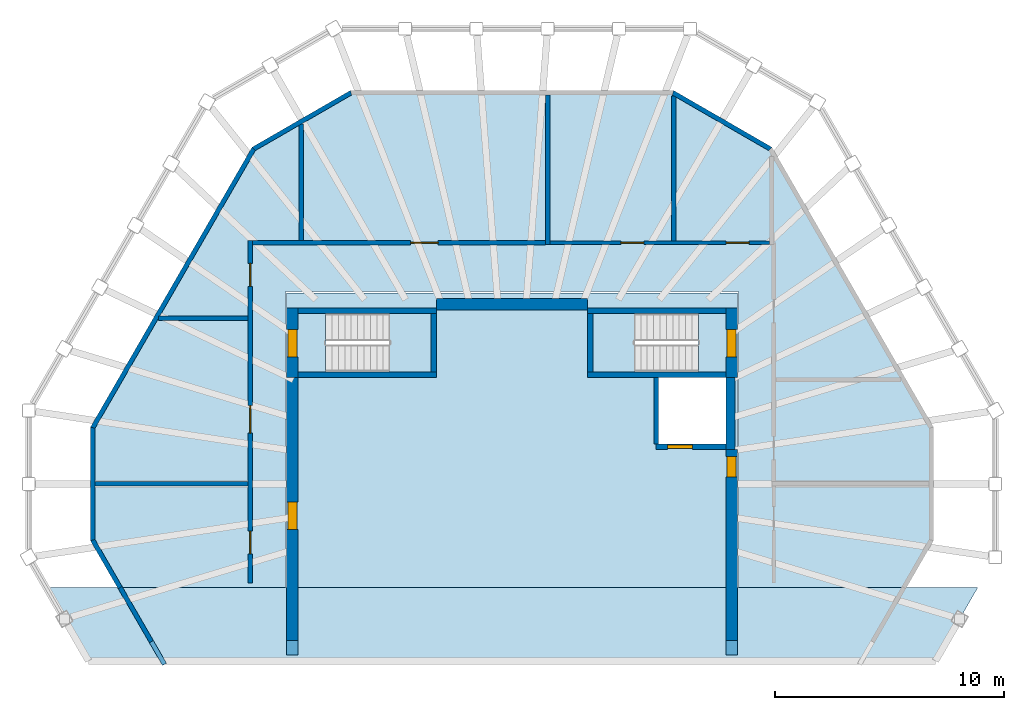
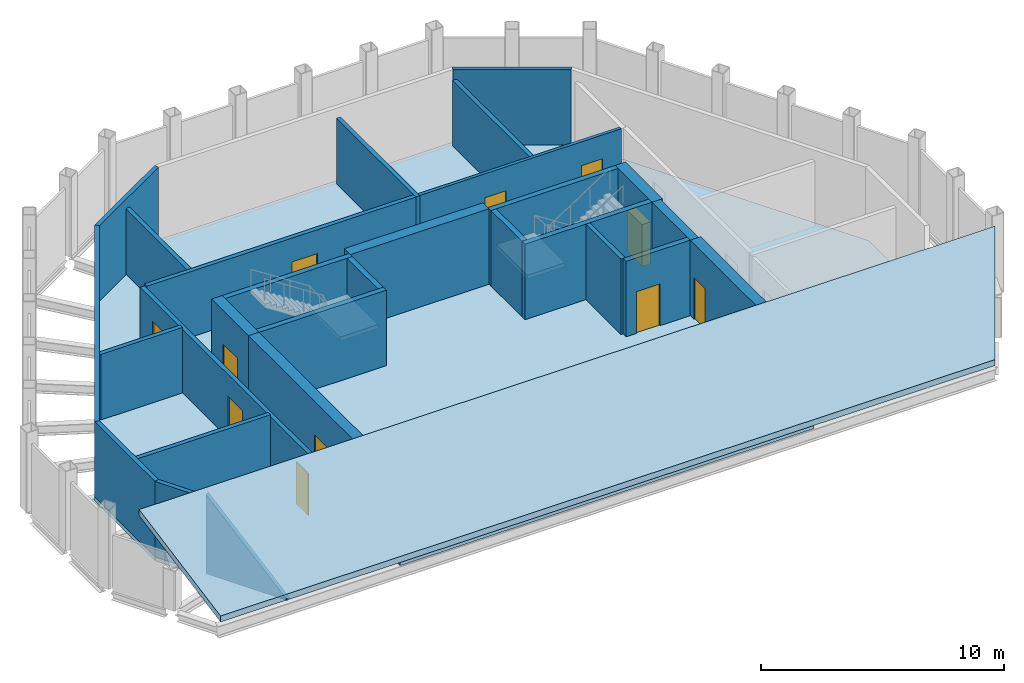
# One storey, part 2 of 4: 28 walls, 11 doors, 5 slabs, 11 openings, 2 elements without a shape of their own.
"""IFC4 building model written with IfcOpenShell, lengths in metres."""

from ifc_helpers import new_model, si_unit, direction, frame, frame_2d, origin, place, context, subcontext, project, spatial, polyline, rectangle, outline, extrude, material, layer, layer_set, type_object, element, fill, aggregate, save


model = new_model("IFC4")

# Units and contexts
model_context = context("Model", 3, precision=1e-05, world=origin(), true_north=direction((0.0, 1.0)))
body_context = subcontext(model_context, "Body", "Model", "MODEL_VIEW")
ifc_project = project(units=[si_unit("LENGTHUNIT", "METRE"), si_unit("AREAUNIT", "SQUARE_METRE"), si_unit("VOLUMEUNIT", "CUBIC_METRE"), si_unit("PLANEANGLEUNIT", "RADIAN"), si_unit("MASSUNIT", "GRAM", prefix="KILO")], contexts=[model_context])

# Site, building, storey
site_placement = place(None, origin())
site = spatial("IfcSite", under=ifc_project, at=site_placement, CompositionType="ELEMENT")
building_placement = place(site_placement, origin())
building = spatial("IfcBuilding", under=site, at=building_placement, Name="Frailejon Research Tower", CompositionType="ELEMENT")
storey_placement = place(building_placement, frame((0.0, 0.0, 360.60009765625)))
storey = spatial("IfcBuildingStorey", under=building, at=storey_placement, Name="L81", CompositionType="ELEMENT", Elevation=360.60009765625)

# Slabs
ifc_material_1 = material(Name="Concrete C50/60", Category="concrete")
ifc_layer_1 = layer(ifc_material_1, 0.199951171875)
ifc_layer_set_1 = layer_set([ifc_layer_1], Name="Core floor slab 200 C50/60")
slab_type_1 = type_object("IfcSlabType", Name="Core floor slab 200 C50/60", PredefinedType="FLOOR", material=ifc_layer_set_1)
slab_1_placement = place(storey_placement, frame((0.0, 0.0, -0.2001953125)))
element("IfcSlab", 1, at=slab_1_placement, inside=storey, type_object=slab_type_1, Name="Core floor slab", PredefinedType="FLOOR", context=body_context, shape_type="SweptSolid", body=[
    extrude(outline(polyline([(-9.85009765625, 8.35009765625), (9.85009765625, 8.35009765625), (9.85009765625, -7.836669921875), (-9.85009765625, -7.836669921875), (-9.85009765625, 8.35009765625)]), holes=[polyline([(9.35009765625, 1.75), (9.35009765625, 4.64990234375), (6.39990234375, 4.64990234375), (6.39990234375, 1.75), (9.35009765625, 1.75)]), polyline([(-8.14697265625, 4.89990234375), (-3.550048828125, 4.89990234375), (-3.550048828125, 7.449951171875), (-8.14697265625, 7.449951171875), (-8.14697265625, 4.89990234375)]), polyline([(8.14697265625, 7.449951171875), (3.550048828125, 7.449951171875), (3.550048828125, 4.89990234375), (8.14697265625, 4.89990234375), (8.14697265625, 7.449951171875)])]), origin(), (0.0, 0.0, 1.0), 0.2001953125),
])
ifc_material_2 = material(Name="Safety glass roof panel on steel frame", Category="steel")
ifc_layer_2 = layer(ifc_material_2, 0.300048828125)
ifc_layer_set_2 = layer_set([ifc_layer_2], Name="Crown glazed roof facet 300")
slab_type_2 = type_object("IfcSlabType", Name="Crown glazed roof facet 300", PredefinedType="ROOF", material=ifc_layer_set_2)
slab_2_placement = place(storey_placement, frame((-20.363037109375, -4.5302734375, 4.0), z_axis=(0.0, -0.766040031, 0.642792867809), x_axis=(1.0, 0.0, 0.0)))
element("IfcSlab", 2, at=slab_2_placement, inside=storey, type_object=slab_type_2, Name="Crown glazed roof facet 5", PredefinedType="ROOF", context=body_context, shape_type="SweptSolid", body=[
    extrude(outline(polyline([(0.0, 0.0), (40.72607421875, 0.0), (38.788330078125, -5.221659232064384), (1.937744140625, -5.221659232064384), (0.0, 0.0)])), origin(), (0.0, 0.766040031, 0.642792867809), 0.300048828125),
])
ifc_material_3 = material(Name="Concrete C30/37", Category="concrete")
ifc_layer_3 = layer(ifc_material_3, 0.199951171875)
ifc_layer_set_3 = layer_set([ifc_layer_3], Name="Crown slab 200")
slab_type_3 = type_object("IfcSlabType", Name="Crown slab 200", PredefinedType="FLOOR", material=ifc_layer_set_3)
slab_3_placement = place(storey_placement, frame((0.0, 0.0, -0.2001953125)))
element("IfcSlab", 3, at=slab_3_placement, inside=storey, type_object=slab_type_3, Name="Floor slab L81", PredefinedType="FLOOR", context=body_context, shape_type="SweptSolid", body=[
    extrude(outline(polyline([(-11.36376953125, 14.71728515625), (-18.427490234375, 2.482666015625), (-18.427490234375, -2.482666015625), (-15.646484375, -7.29931640625), (-9.909912109375, -7.29931640625), (-9.909912109375, 8.409912109375), (9.909912109375, 8.409912109375), (9.909912109375, -7.29931640625), (15.646484375, -7.29931640625), (18.427490234375, -2.482666015625), (18.427490234375, 2.482666015625), (11.36376953125, 14.71728515625), (7.063720703125, 17.199951171875), (-7.063720703125, 17.199951171875), (-11.36376953125, 14.71728515625)])), origin(), (0.0, 0.0, 1.0), 0.2001953125),
])

# Stair, slab
ifc_material_4 = material(Name="Concrete C50/60", Category="concrete")
stair_type = type_object("IfcStairType", Name="Exit stair 22 risers", PredefinedType="HALF_TURN_STAIR", material=ifc_material_4)
stair_1_placement = place(storey_placement, origin())
stair_1 = element("IfcStair", 4, at=stair_1_placement, inside=storey, type_object=stair_type, Name="L81 Exit stair ST1", PredefinedType="HALF_TURN_STAIR")
ifc_material_5 = material(Name="Concrete C50/60", Category="concrete")
ifc_layer_4 = layer(ifc_material_5, 0.199951171875)
ifc_layer_set_4 = layer_set([ifc_layer_4], Name="Stair landing slab 200")
slab_type_4 = type_object("IfcSlabType", Name="Stair landing slab 200", PredefinedType="LANDING", material=ifc_layer_set_4)
slab_4_placement = place(storey_placement, frame((0.0, 0.0, 1.7998046875)))
slab_4 = element("IfcSlab", 5, at=slab_4_placement, type_object=slab_type_4, Name="ST1 landing 1", PredefinedType="LANDING", context=body_context, shape_type="SweptSolid", body=[
    extrude(outline(polyline([(-5.35009765625, 4.89990234375), (-3.550048828125, 4.89990234375), (-3.550048828125, 7.449951171875), (-5.35009765625, 7.449951171875), (-5.35009765625, 4.89990234375)])), origin(), (0.0, 0.0, 1.0), 0.2001953125),
])
aggregate(stair_1, [slab_4])

stair_2_placement = place(storey_placement, origin())
stair_2 = element("IfcStair", 6, at=stair_2_placement, inside=storey, type_object=stair_type, Name="L81 Exit stair ST3", PredefinedType="HALF_TURN_STAIR")
slab_5_placement = place(storey_placement, frame((0.0, 0.0, 1.7998046875)))
slab_5 = element("IfcSlab", 7, at=slab_5_placement, type_object=slab_type_4, Name="ST3 landing 1", PredefinedType="LANDING", context=body_context, shape_type="SweptSolid", body=[
    extrude(outline(polyline([(5.35009765625, 7.449951171875), (3.550048828125, 7.449951171875), (3.550048828125, 4.89990234375), (5.35009765625, 4.89990234375), (5.35009765625, 7.449951171875)])), origin(), (0.0, 0.0, 1.0), 0.2001953125),
])
aggregate(stair_2, [slab_5])

# Wall
ifc_material_6 = material(Name="Concrete C50/60", Category="concrete")
ifc_layer_5 = layer(ifc_material_6, 0.39990234375)
ifc_layer_set_5 = layer_set([ifc_layer_5], Name="Core shear wall 400 C50/60")
wall_type_1 = type_object("IfcWallType", Name="Core shear wall 400 C50/60", PredefinedType="SHEAR", material=ifc_layer_set_5)
wall_1_placement = place(storey_placement, frame((9.550048828125, 1.5, 0.0), z_axis=(0.0, 0.0, 1.0), x_axis=(0.0, 1.0, 0.0)))
element("IfcWall", 8, at=wall_1_placement, inside=storey, type_object=wall_type_1, Name="Core shear wall", PredefinedType="SHEAR", context=body_context, shape_type="SweptSolid", body=[
    extrude(rectangle(XDim=3.14990234375, YDim=0.39990234375, at=frame_2d((1.574951171875, 0.0))), origin(), (0.0, 0.0, 1.0), 3.7998046875),
])

# Wall, opening, door
ifc_material_7 = material(Name="Concrete C50/60", Category="concrete")
ifc_layer_6 = layer(ifc_material_7, 0.5)
ifc_layer_set_6 = layer_set([ifc_layer_6], Name="Core shear wall 500 C50/60")
wall_type_2 = type_object("IfcWallType", Name="Core shear wall 500 C50/60", PredefinedType="SHEAR", material=ifc_layer_set_6)
wall_2_placement = place(storey_placement, frame((9.60009765625, -7.486572265625, 0.0), z_axis=(0.0, 0.0, 1.0), x_axis=(0.0, 1.0, 0.0)))
wall_2 = element("IfcWall", 9, at=wall_2_placement, inside=storey, type_object=wall_type_2, Name="Core shear wall", PredefinedType="SHEAR", context=body_context, shape_type="SweptSolid", body=[
    extrude(outline(polyline([(0.0, 0.0), (8.986572265625, 0.0), (8.986572265625, 3.7998046875), (6.956298828125, 3.7998046875), (2.956298828125, 3.7998046875), (0.0, 0.4765625), (0.0, 0.0)])), frame((0.0, 0.25, 0.0), z_axis=(0.0, -1.0, 0.0), x_axis=(1.0, 0.0, 0.0)), (0.0, 0.0, 1.0), 0.5),
])
opening_1_placement = place(wall_2_placement, frame((7.78662109375, 0.0, 0.0)))
opening_1 = element("IfcOpeningElement", 10, at=opening_1_placement, cuts=wall_2, Name="Opening D8", PredefinedType="OPENING", context=body_context, shape_type="SweptSolid", body=[
    extrude(rectangle(XDim=0.89990234375, YDim=2.10009765625, at=frame_2d((0.449951171875, 1.050048828125))), frame((0.0, 0.260009765625, 0.0), z_axis=(0.0, -1.0, 0.0), x_axis=(1.0, 0.0, 0.0)), (0.0, 0.0, 1.0), 0.52001953125),
])
ifc_material_8 = material(Name="Steel", Category="steel")
door_type_1 = type_object("IfcDoorType", Name="Core room door", OperationType="SINGLE_SWING_LEFT", PredefinedType="DOOR", material=ifc_material_8)
door_1_placement = place(opening_1_placement, origin())
door_1 = element("IfcDoor", 11, at=door_1_placement, inside=storey, type_object=door_type_1, Name="Lift lobby door", OperationType="SINGLE_SWING_RIGHT", OverallHeight=2.10009765625, OverallWidth=0.89990234375, PredefinedType="DOOR", context=body_context, shape_type="SweptSolid", body=[
    extrude(rectangle(XDim=0.89990234375, YDim=2.10009765625, at=frame_2d((0.449951171875, 1.050048828125))), frame((0.0, 0.199951171875, 0.0), z_axis=(0.0, -1.0, 0.0), x_axis=(1.0, 0.0, 0.0)), (0.0, 0.0, 1.0), 0.39990234375),
])
fill(opening_1, door_1)

# Wall
wall_3_placement = place(storey_placement, frame((3.300048828125, 7.85009765625, 0.0), z_axis=(0.0, 0.0, 1.0), x_axis=(-1.0, 0.0, 0.0)))
element("IfcWall", 12, at=wall_3_placement, inside=storey, type_object=wall_type_2, Name="Core shear wall", PredefinedType="SHEAR", context=body_context, shape_type="SweptSolid", body=[
    extrude(rectangle(XDim=6.60009765625, YDim=0.5, at=frame_2d((3.300048828125, 0.0))), origin(), (0.0, 0.0, 1.0), 3.7998046875),
])

# Wall, opening, door
wall_4_placement = place(storey_placement, frame((-9.60009765625, 4.64990234375, 0.0), z_axis=(0.0, 0.0, 1.0), x_axis=(0.0, -1.0, 0.0)))
wall_4 = element("IfcWall", 13, at=wall_4_placement, inside=storey, type_object=wall_type_2, Name="Core shear wall", PredefinedType="SHEAR", context=body_context, shape_type="SweptSolid", body=[
    extrude(outline(polyline([(0.0, 0.0), (12.136474609375, 0.0), (12.13671875, 0.4765625), (9.18017578125, 3.7998046875), (5.18017578125, 3.7998046875), (0.0, 3.7998046875), (0.0, 0.0)])), frame((0.0, 0.25, 0.0), z_axis=(0.0, -1.0, 0.0), x_axis=(1.0, 0.0, 0.0)), (0.0, 0.0, 1.0), 0.5),
])
opening_2_placement = place(wall_4_placement, frame((5.4365234375, 0.0, 0.0)))
opening_2 = element("IfcOpeningElement", 14, at=opening_2_placement, cuts=wall_4, Name="Opening D6", PredefinedType="OPENING", context=body_context, shape_type="SweptSolid", body=[
    extrude(rectangle(XDim=1.199951171875, YDim=2.10009765625, at=frame_2d((0.60009765625, 1.050048828125))), frame((0.0, 0.260009765625, 0.0), z_axis=(0.0, -1.0, 0.0), x_axis=(1.0, 0.0, 0.0)), (0.0, 0.0, 1.0), 0.52001953125),
])
ifc_material_9 = material(Name="Steel", Category="steel")
door_type_2 = type_object("IfcDoorType", Name="Plant door", OperationType="SINGLE_SWING_LEFT", PredefinedType="DOOR", material=ifc_material_9)
door_2_placement = place(opening_2_placement, origin())
door_2 = element("IfcDoor", 15, at=door_2_placement, inside=storey, type_object=door_type_2, Name="Room door", OperationType="SINGLE_SWING_LEFT", OverallHeight=2.10009765625, OverallWidth=1.199951171875, PredefinedType="DOOR", context=body_context, shape_type="SweptSolid", body=[
    extrude(rectangle(XDim=1.199951171875, YDim=2.10009765625, at=frame_2d((0.60009765625, 1.050048828125))), frame((0.0, 0.199951171875, 0.0), z_axis=(0.0, -1.0, 0.0), x_axis=(1.0, 0.0, 0.0)), (0.0, 0.0, 1.0), 0.39990234375),
])
fill(opening_2, door_2)

wall_5_placement = place(storey_placement, frame((-9.60009765625, 4.64990234375, 0.0), z_axis=(0.0, 0.0, 1.0), x_axis=(0.0, 1.0, 0.0)))
wall_5 = element("IfcWall", 16, at=wall_5_placement, inside=storey, type_object=wall_type_2, Name="Core shear wall", PredefinedType="SHEAR", context=body_context, shape_type="SweptSolid", body=[
    extrude(rectangle(XDim=3.050048828125, YDim=0.5, at=frame_2d((1.52490234375, 0.0))), origin(), (0.0, 0.0, 1.0), 3.7998046875),
])
opening_3_placement = place(wall_5_placement, frame((0.89990234375, 0.0, 0.0)))
opening_3 = element("IfcOpeningElement", 17, at=opening_3_placement, cuts=wall_5, Name="Opening D7", PredefinedType="OPENING", context=body_context, shape_type="SweptSolid", body=[
    extrude(rectangle(XDim=1.199951171875, YDim=2.10009765625, at=frame_2d((0.60009765625, 1.050048828125))), frame((0.0, 0.260009765625, 0.0), z_axis=(0.0, -1.0, 0.0), x_axis=(1.0, 0.0, 0.0)), (0.0, 0.0, 1.0), 0.52001953125),
])
ifc_material_10 = material(Name="Steel", Category="steel")
door_type_3 = type_object("IfcDoorType", Name="Stair exit door", OperationType="SINGLE_SWING_LEFT", PredefinedType="DOOR", material=ifc_material_10)
door_3_placement = place(opening_3_placement, origin())
door_3 = element("IfcDoor", 18, at=door_3_placement, inside=storey, type_object=door_type_3, Name="Stair door ST1", OperationType="SINGLE_SWING_LEFT", OverallHeight=2.10009765625, OverallWidth=1.199951171875, PredefinedType="DOOR", context=body_context, shape_type="SweptSolid", body=[
    extrude(rectangle(XDim=1.199951171875, YDim=2.10009765625, at=frame_2d((0.60009765625, 1.050048828125))), frame((0.0, 0.199951171875, 0.0), z_axis=(0.0, -1.0, 0.0), x_axis=(1.0, 0.0, 0.0)), (0.0, 0.0, 1.0), 0.39990234375),
])
fill(opening_3, door_3)

wall_6_placement = place(storey_placement, frame((9.60009765625, 4.64990234375, 0.0), z_axis=(0.0, 0.0, 1.0), x_axis=(0.0, 1.0, 0.0)))
wall_6 = element("IfcWall", 19, at=wall_6_placement, inside=storey, type_object=wall_type_2, Name="Core shear wall", PredefinedType="SHEAR", context=body_context, shape_type="SweptSolid", body=[
    extrude(rectangle(XDim=3.050048828125, YDim=0.5, at=frame_2d((1.52490234375, 0.0))), origin(), (0.0, 0.0, 1.0), 3.7998046875),
])
opening_4_placement = place(wall_6_placement, frame((0.89990234375, 0.0, 0.0)))
opening_4 = element("IfcOpeningElement", 20, at=opening_4_placement, cuts=wall_6, Name="Opening D7", PredefinedType="OPENING", context=body_context, shape_type="SweptSolid", body=[
    extrude(rectangle(XDim=1.199951171875, YDim=2.10009765625, at=frame_2d((0.60009765625, 1.050048828125))), frame((0.0, 0.260009765625, 0.0), z_axis=(0.0, -1.0, 0.0), x_axis=(1.0, 0.0, 0.0)), (0.0, 0.0, 1.0), 0.52001953125),
])
door_4_placement = place(opening_4_placement, origin())
door_4 = element("IfcDoor", 21, at=door_4_placement, inside=storey, type_object=door_type_3, Name="Stair door ST3", OperationType="SINGLE_SWING_RIGHT", OverallHeight=2.10009765625, OverallWidth=1.199951171875, PredefinedType="DOOR", context=body_context, shape_type="SweptSolid", body=[
    extrude(rectangle(XDim=1.199951171875, YDim=2.10009765625, at=frame_2d((0.60009765625, 1.050048828125))), frame((0.0, 0.199951171875, 0.0), z_axis=(0.0, -1.0, 0.0), x_axis=(1.0, 0.0, 0.0)), (0.0, 0.0, 1.0), 0.39990234375),
])
fill(opening_4, door_4)

# Wall, openings, doors
ifc_material_11 = material(Name="Gypsum board and masonry partition", Category="masonry")
ifc_layer_7 = layer(ifc_material_11, 0.14990234375)
ifc_layer_set_7 = layer_set([ifc_layer_7], Name="Corridor wall EI 60, gypsum on steel studs 150")
wall_type_3 = type_object("IfcWallType", Name="Corridor wall EI 60, gypsum on steel studs 150", PredefinedType="PARTITIONING", material=ifc_layer_set_7)
wall_7_placement = place(storey_placement, frame((1.657470703125, 10.550048828125, 0.0), z_axis=(0.0, 0.0, 1.0), x_axis=(1.0, 0.0, 0.0)))
wall_7 = element("IfcWall", 22, at=wall_7_placement, inside=storey, type_object=wall_type_3, Name="T:IW:L81:001", PredefinedType="PARTITIONING", context=body_context, shape_type="SweptSolid", body=[
    extrude(rectangle(XDim=9.6064453125, YDim=0.14990234375, at=frame_2d((4.80322265625, 0.0))), origin(), (0.0, 0.0, 1.0), 3.2998046875),
])
opening_5_placement = place(wall_7_placement, frame((7.706298828125, 0.0, 0.0)))
opening_5 = element("IfcOpeningElement", 23, at=opening_5_placement, cuts=wall_7, Name="Opening D1205", PredefinedType="OPENING", context=body_context, shape_type="SweptSolid", body=[
    extrude(rectangle(XDim=1.0, YDim=2.10009765625, at=frame_2d((0.5, 1.050048828125))), frame((0.0, 0.0849609375, 0.0), z_axis=(0.0, -1.0, 0.0), x_axis=(1.0, 0.0, 0.0)), (0.0, 0.0, 1.0), 0.169921875),
])
opening_6_placement = place(wall_7_placement, frame((3.104736328125, 0.0, 0.0)))
opening_6 = element("IfcOpeningElement", 24, at=opening_6_placement, cuts=wall_7, Name="Opening D1206", PredefinedType="OPENING", context=body_context, shape_type="SweptSolid", body=[
    extrude(rectangle(XDim=1.0, YDim=2.10009765625, at=frame_2d((0.5, 1.050048828125))), frame((0.0, 0.0849609375, 0.0), z_axis=(0.0, -1.0, 0.0), x_axis=(1.0, 0.0, 0.0)), (0.0, 0.0, 1.0), 0.169921875),
])
ifc_material_12 = material(Name="Steel door leaf", Category="steel")
door_type_4 = type_object("IfcDoorType", Name="Door plant room, steel 1000", OperationType="NOTDEFINED", PredefinedType="DOOR", material=ifc_material_12)
door_5_placement = place(opening_6_placement, origin())
door_5 = element("IfcDoor", 25, at=door_5_placement, inside=storey, type_object=door_type_4, Name="D1206", OperationType="SINGLE_SWING_LEFT", OverallHeight=2.10009765625, OverallWidth=1.0, PredefinedType="DOOR", context=body_context, shape_type="SweptSolid", body=[
    extrude(rectangle(XDim=1.0, YDim=2.10009765625, at=frame_2d((0.5, 1.050048828125))), frame((0.0, 0.02490234375, 0.0), z_axis=(0.0, -1.0, 0.0), x_axis=(1.0, 0.0, 0.0)), (0.0, 0.0, 1.0), 0.050048828125),
])
fill(opening_6, door_5)
ifc_material_13 = material(Name="Timber door leaf", Category="wood")
door_type_5 = type_object("IfcDoorType", Name="Door single leaf, timber, steel frame 1000", OperationType="NOTDEFINED", PredefinedType="DOOR", material=ifc_material_13)
door_6_placement = place(opening_5_placement, origin())
door_6 = element("IfcDoor", 26, at=door_6_placement, inside=storey, type_object=door_type_5, Name="D1205", OperationType="SINGLE_SWING_RIGHT", OverallHeight=2.10009765625, OverallWidth=1.0, PredefinedType="DOOR", context=body_context, shape_type="SweptSolid", body=[
    extrude(rectangle(XDim=1.0, YDim=2.10009765625, at=frame_2d((0.5, 1.050048828125))), frame((0.0, 0.02490234375, 0.0), z_axis=(0.0, -1.0, 0.0), x_axis=(1.0, 0.0, 0.0)), (0.0, 0.0, 1.0), 0.050048828125),
])
fill(opening_5, door_6)

# Walls
ifc_material_14 = material(Name="Aluminium louvre cladding panel", Category="aluminium")
ifc_layer_8 = layer(ifc_material_14, 0.199951171875)
ifc_layer_set_8 = layer_set([ifc_layer_8], Name="Crown louvred wall 200")
wall_type_4 = type_object("IfcWallType", Name="Crown louvred wall 200", PredefinedType="SOLIDWALL", material=ifc_layer_set_8)
for number, where, z_axis, x_axis, name in (
    (27, (11.29052734375, 14.644287109375, 0.0), (0.0, 0.0, 1.0), (-0.86601671623, 0.500015046984, 0.0), "Crown louvred wall L81"),
    (28, (-7.037109375, 17.10009765625, 0.0), (0.0, 0.0, 1.0), (-0.86601671623, -0.500015046984, 0.0), "Crown louvred wall L81"),
):
    element("IfcWall", number, at=place(storey_placement, frame(where, z_axis=z_axis, x_axis=x_axis)), inside=storey, type_object=wall_type_4, Name=name, PredefinedType="SOLIDWALL", context=body_context, shape_type="SweptSolid", body=[
        extrude(outline(polyline([(-0.02685546875, -0.10009765625), (4.938232421875, -0.10009765625), (4.884521484375, 0.10009765625), (0.02685546875, 0.10009765625), (-0.02685546875, -0.10009765625)])), origin(), (0.0, 0.0, 1.0), 3.7998046875),
    ])
wall_8_placement = place(storey_placement, frame((-11.29052734375, 14.644287109375, 0.0), z_axis=(0.0, 0.0, 1.0), x_axis=(-0.499991740577, -0.866030172312, 0.0)))
element("IfcWall", 29, at=wall_8_placement, inside=storey, type_object=wall_type_4, Name="Crown louvred wall L81", PredefinedType="SOLIDWALL", context=body_context, shape_type="SweptSolid", body=[
    extrude(outline(polyline([(-0.02685546875, -0.10009765625), (14.100830078125, -0.10009765625), (14.047119140625, 0.10009765625), (0.02685546875, 0.10009765625), (-0.02685546875, -0.10009765625)])), origin(), (0.0, 0.0, 1.0), 3.7998046875),
])
wall_9_placement = place(storey_placement, frame((-18.327392578125, 2.455810546875, 0.0), z_axis=(0.0, 0.0, 1.0), x_axis=(0.0, -1.0, 0.0)))
element("IfcWall", 30, at=wall_9_placement, inside=storey, type_object=wall_type_4, Name="Crown louvred wall L81", PredefinedType="SOLIDWALL", context=body_context, shape_type="SweptSolid", body=[
    extrude(outline(polyline([(-0.02685546875, -0.10009765625), (4.9384765625, -0.10009765625), (4.884765625, 0.10009765625), (0.02685546875, 0.10009765625), (-0.02685546875, -0.10009765625)])), origin(), (0.0, 0.0, 1.0), 3.7998046875),
])
wall_10_placement = place(storey_placement, frame((-18.327392578125, -2.455810546875, 0.0), z_axis=(0.0, 0.0, 1.0), x_axis=(0.499943030081, -0.866058292884, 0.0)))
element("IfcWall", 31, at=wall_10_placement, inside=storey, type_object=wall_type_4, Name="Crown louvred wall L81", PredefinedType="SOLIDWALL", context=body_context, shape_type="SweptSolid", body=[
    extrude(outline(polyline([(-0.02685546875, -0.10009765625), (2.395263671875, -0.10009765625), (2.395263671875, 0.10009765625), (0.02685546875, 0.10009765625), (-0.02685546875, -0.10009765625)])), origin(), (0.0, 0.0, 1.0), 3.7998046875),
])
wall_11_placement = place(storey_placement, frame((-17.1298828125, -4.5302734375, 0.0), z_axis=(0.0, 0.0, 1.0), x_axis=(0.500027802648, -0.866009351323, 0.0)))
element("IfcWall", 32, at=wall_11_placement, inside=storey, type_object=wall_type_4, Name="Crown louvred wall L81", PredefinedType="SOLIDWALL", context=body_context, shape_type="SweptSolid", body=[
    extrude(outline(polyline([(0.0, 0.0), (3.875732421875, 0.0), (3.87548828125, 0.02978515625), (0.0, 4.0), (0.0, 0.0)])), frame((0.0, 0.10009765625, 0.0), z_axis=(0.0, -1.0, 0.0), x_axis=(1.0, 0.0, 0.0)), (0.0, 0.0, 1.0), 0.199951171875),
])

# Wall, opening, door
ifc_material_15 = material(Name="Gypsum board and masonry partition", Category="masonry")
ifc_layer_9 = layer(ifc_material_15, 0.199951171875)
ifc_layer_set_9 = layer_set([ifc_layer_9], Name="Plant enclosure wall, blockwork 200")
wall_type_5 = type_object("IfcWallType", Name="Plant enclosure wall, blockwork 200", PredefinedType="PARTITIONING", material=ifc_layer_set_9)
wall_12_placement = place(storey_placement, frame((-11.35009765625, 10.550048828125, 0.0), z_axis=(0.0, 0.0, 1.0), x_axis=(1.0, 0.0, 0.0)))
wall_12 = element("IfcWall", 33, at=wall_12_placement, inside=storey, type_object=wall_type_5, Name="T:IW:L81:004", PredefinedType="PARTITIONING", context=body_context, shape_type="SweptSolid", body=[
    extrude(rectangle(XDim=12.8076171875, YDim=0.199951171875, at=frame_2d((6.40380859375, 0.0))), origin(), (0.0, 0.0, 1.0), 3.2998046875),
])
opening_7_placement = place(wall_12_placement, frame((6.921875, 0.0, 0.0)))
opening_7 = element("IfcOpeningElement", 34, at=opening_7_placement, cuts=wall_12, Name="Opening D1207", PredefinedType="OPENING", context=body_context, shape_type="SweptSolid", body=[
    extrude(rectangle(XDim=1.199951171875, YDim=2.10009765625, at=frame_2d((0.60009765625, 1.050048828125))), frame((0.0, 0.10986328125, 0.0), z_axis=(0.0, -1.0, 0.0), x_axis=(1.0, 0.0, 0.0)), (0.0, 0.0, 1.0), 0.219970703125),
])
ifc_material_16 = material(Name="Steel door leaf", Category="steel")
door_type_6 = type_object("IfcDoorType", Name="Door plant room, steel 1200", OperationType="NOTDEFINED", PredefinedType="DOOR", material=ifc_material_16)
door_7_placement = place(opening_7_placement, origin())
door_7 = element("IfcDoor", 35, at=door_7_placement, inside=storey, type_object=door_type_6, Name="D1207", OperationType="DOUBLE_DOOR_SINGLE_SWING", OverallHeight=2.10009765625, OverallWidth=1.199951171875, PredefinedType="DOOR", context=body_context, shape_type="SweptSolid", body=[
    extrude(rectangle(XDim=1.199951171875, YDim=2.10009765625, at=frame_2d((0.60009765625, 1.050048828125))), frame((0.0, 0.02490234375, 0.0), z_axis=(0.0, -1.0, 0.0), x_axis=(1.0, 0.0, 0.0)), (0.0, 0.0, 1.0), 0.050048828125),
])
fill(opening_7, door_7)

# Wall, openings, doors
wall_13_placement = place(storey_placement, frame((-11.449951171875, -4.330078125, 0.0), z_axis=(0.0, 0.0, 1.0), x_axis=(0.0, 1.0, 0.0)))
wall_13 = element("IfcWall", 36, at=wall_13_placement, inside=storey, type_object=wall_type_5, Name="T:IW:L81:005", PredefinedType="PARTITIONING", context=body_context, shape_type="SweptSolid", body=[
    extrude(rectangle(XDim=14.97998046875, YDim=0.199951171875, at=frame_2d((7.489990234375, 0.0))), origin(), (0.0, 0.0, 1.0), 3.199951171875),
])
opening_8_placement = place(wall_13_placement, frame((12.970703125, 0.0, 0.0)))
opening_8 = element("IfcOpeningElement", 37, at=opening_8_placement, cuts=wall_13, Name="Opening D1208", PredefinedType="OPENING", context=body_context, shape_type="SweptSolid", body=[
    extrude(rectangle(XDim=1.0, YDim=2.10009765625, at=frame_2d((0.5, 1.050048828125))), frame((0.0, 0.10986328125, 0.0), z_axis=(0.0, -1.0, 0.0), x_axis=(1.0, 0.0, 0.0)), (0.0, 0.0, 1.0), 0.219970703125),
])
opening_9_placement = place(wall_13_placement, frame((6.552978515625, 0.0, 0.0)))
opening_9 = element("IfcOpeningElement", 38, at=opening_9_placement, cuts=wall_13, Name="Opening D1209", PredefinedType="OPENING", context=body_context, shape_type="SweptSolid", body=[
    extrude(rectangle(XDim=1.199951171875, YDim=2.10009765625, at=frame_2d((0.60009765625, 1.050048828125))), frame((0.0, 0.10986328125, 0.0), z_axis=(0.0, -1.0, 0.0), x_axis=(1.0, 0.0, 0.0)), (0.0, 0.0, 1.0), 0.219970703125),
])
opening_10_placement = place(wall_13_placement, frame((1.2705078125, 0.0, 0.0)))
opening_10 = element("IfcOpeningElement", 39, at=opening_10_placement, cuts=wall_13, Name="Opening D1210", PredefinedType="OPENING", context=body_context, shape_type="SweptSolid", body=[
    extrude(rectangle(XDim=1.0, YDim=2.10009765625, at=frame_2d((0.5, 1.050048828125))), frame((0.0, 0.10986328125, 0.0), z_axis=(0.0, -1.0, 0.0), x_axis=(1.0, 0.0, 0.0)), (0.0, 0.0, 1.0), 0.219970703125),
])
door_8_placement = place(opening_8_placement, origin())
door_8 = element("IfcDoor", 40, at=door_8_placement, inside=storey, type_object=door_type_4, Name="D1208", OperationType="SINGLE_SWING_LEFT", OverallHeight=2.10009765625, OverallWidth=1.0, PredefinedType="DOOR", context=body_context, shape_type="SweptSolid", body=[
    extrude(rectangle(XDim=1.0, YDim=2.10009765625, at=frame_2d((0.5, 1.050048828125))), frame((0.0, 0.02490234375, 0.0), z_axis=(0.0, -1.0, 0.0), x_axis=(1.0, 0.0, 0.0)), (0.0, 0.0, 1.0), 0.050048828125),
])
fill(opening_8, door_8)
door_9_placement = place(opening_10_placement, origin())
door_9 = element("IfcDoor", 41, at=door_9_placement, inside=storey, type_object=door_type_4, Name="D1210", OperationType="SINGLE_SWING_LEFT", OverallHeight=2.10009765625, OverallWidth=1.0, PredefinedType="DOOR", context=body_context, shape_type="SweptSolid", body=[
    extrude(rectangle(XDim=1.0, YDim=2.10009765625, at=frame_2d((0.5, 1.050048828125))), frame((0.0, 0.02490234375, 0.0), z_axis=(0.0, -1.0, 0.0), x_axis=(1.0, 0.0, 0.0)), (0.0, 0.0, 1.0), 0.050048828125),
])
fill(opening_10, door_9)
door_10_placement = place(opening_9_placement, origin())
door_10 = element("IfcDoor", 42, at=door_10_placement, inside=storey, type_object=door_type_6, Name="D1209", OperationType="DOUBLE_DOOR_SINGLE_SWING", OverallHeight=2.10009765625, OverallWidth=1.199951171875, PredefinedType="DOOR", context=body_context, shape_type="SweptSolid", body=[
    extrude(rectangle(XDim=1.199951171875, YDim=2.10009765625, at=frame_2d((0.60009765625, 1.050048828125))), frame((0.0, 0.02490234375, 0.0), z_axis=(0.0, -1.0, 0.0), x_axis=(1.0, 0.0, 0.0)), (0.0, 0.0, 1.0), 0.050048828125),
])
fill(opening_9, door_10)

# Walls
wall_14_placement = place(storey_placement, frame((-18.2275390625, 0.0, 0.0), z_axis=(0.0, 0.0, 1.0), x_axis=(1.0, 0.0, 0.0)))
element("IfcWall", 43, at=wall_14_placement, inside=storey, type_object=wall_type_5, Name="T:IW:L81:007", PredefinedType="PARTITIONING", context=body_context, shape_type="SweptSolid", body=[
    extrude(rectangle(XDim=6.677490234375, YDim=0.199951171875, at=frame_2d((3.3388671875, 0.0))), origin(), (0.0, 0.0, 1.0), 3.2998046875),
])
wall_15_placement = place(storey_placement, frame((7.063720703125, 10.625, 0.0), z_axis=(0.0, 0.0, 1.0), x_axis=(0.0, 1.0, 0.0)))
element("IfcWall", 44, at=wall_15_placement, inside=storey, type_object=wall_type_5, Name="T:IW:L81:010", PredefinedType="PARTITIONING", context=body_context, shape_type="SweptSolid", body=[
    extrude(rectangle(XDim=6.343994140625, YDim=0.199951171875, at=frame_2d((3.171875, 0.0))), origin(), (0.0, 0.0, 1.0), 3.2998046875),
])
wall_16_placement = place(storey_placement, frame((1.557373046875, 10.47509765625, 0.0), z_axis=(0.0, 0.0, 1.0), x_axis=(0.0, 1.0, 0.0)))
element("IfcWall", 45, at=wall_16_placement, inside=storey, type_object=wall_type_5, Name="T:IW:L81:011", PredefinedType="PARTITIONING", context=body_context, shape_type="SweptSolid", body=[
    extrude(rectangle(XDim=6.52490234375, YDim=0.199951171875, at=frame_2d((3.262451171875, 0.0))), origin(), (0.0, 0.0, 1.0), 3.2998046875),
])
wall_17_placement = place(storey_placement, frame((-9.2138671875, 10.64990234375, 0.0), z_axis=(0.0, 0.0, 1.0), x_axis=(0.0, 1.0, 0.0)))
element("IfcWall", 46, at=wall_17_placement, inside=storey, type_object=wall_type_5, Name="T:IW:L81:012", PredefinedType="PARTITIONING", context=body_context, shape_type="SweptSolid", body=[
    extrude(rectangle(XDim=5.077880859375, YDim=0.199951171875, at=frame_2d((2.5390625, 0.0))), origin(), (0.0, 0.0, 1.0), 3.2998046875),
])
wall_18_placement = place(storey_placement, frame((-15.443359375, 7.251220703125, 0.0), z_axis=(0.0, 0.0, 1.0), x_axis=(1.0, 0.0, 0.0)))
element("IfcWall", 47, at=wall_18_placement, inside=storey, type_object=wall_type_5, Name="T:IW:L81:013", PredefinedType="PARTITIONING", context=body_context, shape_type="SweptSolid", body=[
    extrude(rectangle(XDim=3.893310546875, YDim=0.199951171875, at=frame_2d((1.94677734375, 0.0))), origin(), (0.0, 0.0, 1.0), 3.2998046875),
])
ifc_material_17 = material(Name="Concrete C50/60", Category="concrete")
ifc_layer_10 = layer(ifc_material_17, 0.199951171875)
ifc_layer_set_10 = layer_set([ifc_layer_10], Name="Shaft wall 200 C50/60")
wall_type_6 = type_object("IfcWallType", Name="Shaft wall 200 C50/60", PredefinedType="SOLIDWALL", material=ifc_layer_set_10)
wall_19_placement = place(storey_placement, frame((6.300048828125, 1.75, 0.0), z_axis=(0.0, 0.0, 1.0), x_axis=(0.0, 1.0, 0.0)))
element("IfcWall", 48, at=wall_19_placement, inside=storey, type_object=wall_type_6, Name="Shaft wall", PredefinedType="SOLIDWALL", context=body_context, shape_type="SweptSolid", body=[
    extrude(rectangle(XDim=2.89990234375, YDim=0.199951171875, at=frame_2d((1.449951171875, 0.0))), origin(), (0.0, 0.0, 1.0), 3.7998046875),
])
ifc_material_18 = material(Name="Concrete C50/60", Category="concrete")
ifc_layer_11 = layer(ifc_material_18, 0.25)
ifc_layer_set_11 = layer_set([ifc_layer_11], Name="Shaft wall 250 C50/60")
wall_type_7 = type_object("IfcWallType", Name="Shaft wall 250 C50/60", PredefinedType="SOLIDWALL", material=ifc_layer_set_11)
wall_20_placement = place(storey_placement, frame((-3.425048828125, 4.89990234375, 0.0), z_axis=(0.0, 0.0, 1.0), x_axis=(0.0, 1.0, 0.0)))
element("IfcWall", 49, at=wall_20_placement, inside=storey, type_object=wall_type_7, Name="Shaft wall", PredefinedType="SOLIDWALL", context=body_context, shape_type="SweptSolid", body=[
    extrude(rectangle(XDim=2.550048828125, YDim=0.25, at=frame_2d((1.27490234375, 0.0))), origin(), (0.0, 0.0, 1.0), 3.7998046875),
])
for number, where, z_axis, x_axis, name in (
    (50, (-9.35009765625, 4.77490234375, 0.0), (0.0, 0.0, 1.0), (1.0, 0.0, 0.0), "Shaft wall"),
    (51, (-9.35009765625, 7.574951171875, 0.0), (0.0, 0.0, 1.0), (1.0, 0.0, 0.0), "Shaft wall"),
):
    element("IfcWall", number, at=place(storey_placement, frame(where, z_axis=z_axis, x_axis=x_axis)), inside=storey, type_object=wall_type_7, Name=name, PredefinedType="SOLIDWALL", context=body_context, shape_type="SweptSolid", body=[
        extrude(rectangle(XDim=6.050048828125, YDim=0.25, at=frame_2d((3.02490234375, 0.0))), origin(), (0.0, 0.0, 1.0), 3.7998046875),
    ])
wall_21_placement = place(storey_placement, frame((3.425048828125, 4.89990234375, 0.0), z_axis=(0.0, 0.0, 1.0), x_axis=(0.0, 1.0, 0.0)))
element("IfcWall", 52, at=wall_21_placement, inside=storey, type_object=wall_type_7, Name="Shaft wall", PredefinedType="SOLIDWALL", context=body_context, shape_type="SweptSolid", body=[
    extrude(rectangle(XDim=2.550048828125, YDim=0.25, at=frame_2d((1.27490234375, 0.0))), origin(), (0.0, 0.0, 1.0), 3.7998046875),
])
for number, where, z_axis, x_axis, name in (
    (53, (3.300048828125, 4.77490234375, 0.0), (0.0, 0.0, 1.0), (1.0, 0.0, 0.0), "Shaft wall"),
    (54, (3.300048828125, 7.574951171875, 0.0), (0.0, 0.0, 1.0), (1.0, 0.0, 0.0), "Shaft wall"),
):
    element("IfcWall", number, at=place(storey_placement, frame(where, z_axis=z_axis, x_axis=x_axis)), inside=storey, type_object=wall_type_7, Name=name, PredefinedType="SOLIDWALL", context=body_context, shape_type="SweptSolid", body=[
        extrude(rectangle(XDim=6.050048828125, YDim=0.25, at=frame_2d((3.02490234375, 0.0))), origin(), (0.0, 0.0, 1.0), 3.7998046875),
    ])

# Wall, opening, door
wall_22_placement = place(storey_placement, frame((6.300048828125, 1.625, 0.0), z_axis=(0.0, 0.0, 1.0), x_axis=(1.0, 0.0, 0.0)))
wall_22 = element("IfcWall", 55, at=wall_22_placement, inside=storey, type_object=wall_type_7, Name="Shaft wall", PredefinedType="SOLIDWALL", context=body_context, shape_type="SweptSolid", body=[
    extrude(rectangle(XDim=3.050048828125, YDim=0.25, at=frame_2d((1.52490234375, 0.0))), origin(), (0.0, 0.0, 1.0), 3.7998046875),
])
opening_11_placement = place(wall_22_placement, frame((0.5, 0.0, 0.0)))
opening_11 = element("IfcOpeningElement", 56, at=opening_11_placement, cuts=wall_22, Name="Opening LD", PredefinedType="OPENING", context=body_context, shape_type="SweptSolid", body=[
    extrude(rectangle(XDim=1.10009765625, YDim=2.10009765625, at=frame_2d((0.550048828125, 1.050048828125))), frame((0.0, 0.135009765625, 0.0), z_axis=(0.0, -1.0, 0.0), x_axis=(1.0, 0.0, 0.0)), (0.0, 0.0, 1.0), 0.27001953125),
])
ifc_material_19 = material(Name="Steel", Category="steel")
door_type_7 = type_object("IfcDoorType", Name="Lift landing door", OperationType="DOUBLE_DOOR_SLIDING", PredefinedType="DOOR", material=ifc_material_19)
door_11_placement = place(opening_11_placement, origin())
door_11 = element("IfcDoor", 57, at=door_11_placement, inside=storey, type_object=door_type_7, Name="Lift landing door", OperationType="DOUBLE_DOOR_SLIDING", OverallHeight=2.10009765625, OverallWidth=1.10009765625, PredefinedType="DOOR", context=body_context, shape_type="SweptSolid", body=[
    extrude(rectangle(XDim=1.10009765625, YDim=2.10009765625, at=frame_2d((0.550048828125, 1.050048828125))), frame((0.0, 0.074951171875, 0.0), z_axis=(0.0, -1.0, 0.0), x_axis=(1.0, 0.0, 0.0)), (0.0, 0.0, 1.0), 0.14990234375),
])
fill(opening_11, door_11)

save(model, "model.ifc")
